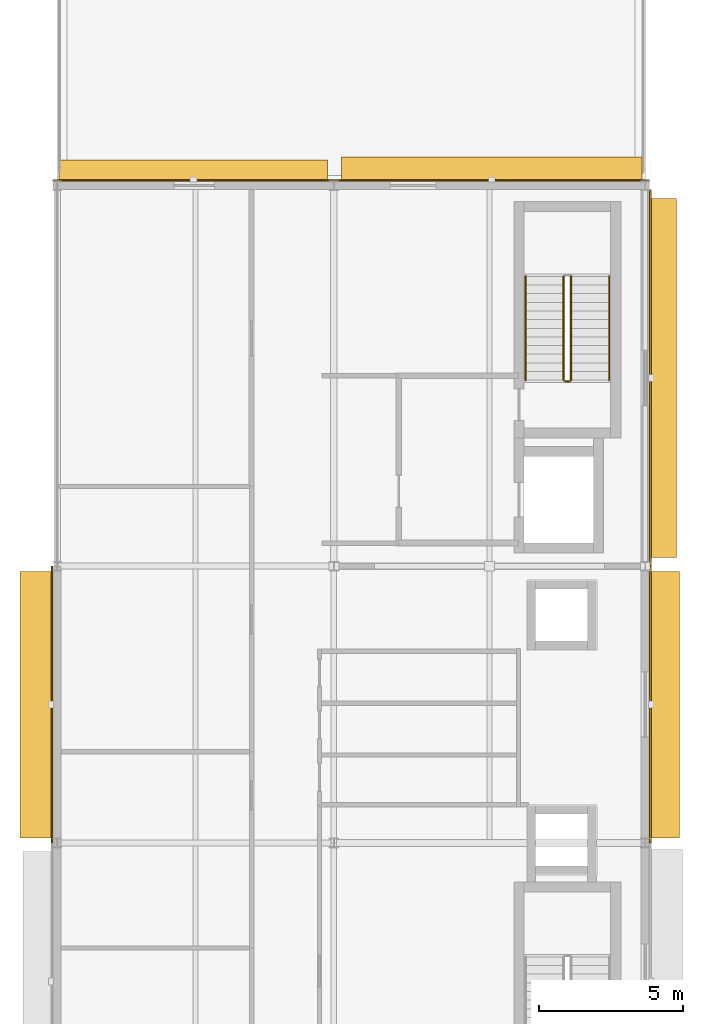
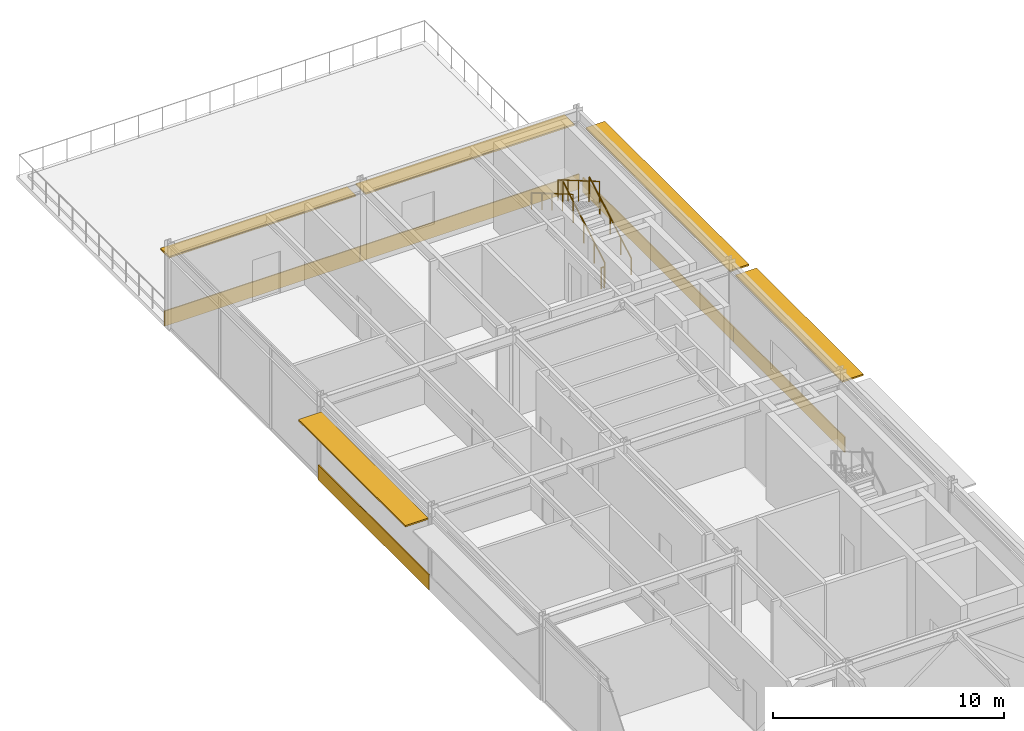
# One storey, part 17 of 18: 5 coverings, 5 railings, 5 shading devices.
"""IFC4 building model written with IfcOpenShell, lengths in metres."""

from ifc_helpers import new_model, si_unit, direction, frame, origin, origin_2d, place, context, subcontext, project, spatial, rectangle, circle, extrude, material, layer, layer_set, type_object, element, save


model = new_model("IFC4")

# Units and contexts
model_context = context("Model", 3, precision=1e-05, world=origin(), true_north=direction((0.0, 1.0)))
body_context = subcontext(model_context, "Body", "Model", "MODEL_VIEW")
ifc_project = project(units=[si_unit("LENGTHUNIT", "METRE"), si_unit("AREAUNIT", "SQUARE_METRE"), si_unit("VOLUMEUNIT", "CUBIC_METRE"), si_unit("PLANEANGLEUNIT", "RADIAN"), si_unit("MASSUNIT", "GRAM", prefix="KILO")], contexts=[model_context])

# Site, building, storey
site_placement = place(None, origin())
site = spatial("IfcSite", under=ifc_project, at=site_placement, CompositionType="ELEMENT")
building_placement = place(site_placement, origin())
building = spatial("IfcBuilding", under=site, at=building_placement, Name="Almandine Court Research Institute", CompositionType="ELEMENT")
storey_placement = place(building_placement, frame((0.0, 0.0, 37.10009765625)))
storey = spatial("IfcBuildingStorey", under=building, at=storey_placement, Name="L08", CompositionType="ELEMENT", Elevation=37.10009765625)

# Coverings
ifc_material_1 = material(Name="Extruded Cream-Ochre Seismic Terracotta Spandrel", Category="masonry")
ifc_layer_1 = layer(ifc_material_1, 0.054931640625)
ifc_layer_set_1 = layer_set([ifc_layer_1], Name="Extruded Cream-Ochre Seismic Terracotta Spandrel")
covering_type = type_object("IfcCoveringType", Name="Cov-CLAD-TERR", PredefinedType="CLADDING", material=ifc_layer_set_1)
covering_1_placement = place(storey_placement, frame((153.428955078125, 39.60009765625, 0.02001953125), z_axis=(0.0, 0.0, 1.0), x_axis=(0.0, 1.0, 0.0)))
element("IfcCovering", 1, at=covering_1_placement, inside=storey, type_object=covering_type, Name="L08 Facade Spandrel Cladding Band 230", PredefinedType="CLADDING", context=body_context, shape_type="SweptSolid", body=[
    extrude(rectangle(XDim=9.592041015625, YDim=0.054931640625, at=origin_2d()), origin(), (0.0, 0.0, 1.0), 0.800048828125),
])
covering_2_placement = place(storey_placement, frame((158.325927734375, 57.77001953125, 0.02001953125), z_axis=(0.0, 0.0, 1.0), x_axis=(1.0, 0.0, 0.0)))
element("IfcCovering", 2, at=covering_2_placement, inside=storey, type_object=covering_type, Name="L08 Facade Spandrel Cladding Band 231", PredefinedType="CLADDING", context=body_context, shape_type="SweptSolid", body=[
    extrude(rectangle(XDim=9.740966796875, YDim=0.054931640625, at=origin_2d()), origin(), (0.0, 0.0, 1.0), 0.800048828125),
])
covering_3_placement = place(storey_placement, frame((168.675048828125, 57.77001953125, 0.02001953125), z_axis=(0.0, 0.0, 1.0), x_axis=(1.0, 0.0, 0.0)))
element("IfcCovering", 3, at=covering_3_placement, inside=storey, type_object=covering_type, Name="L08 Facade Spandrel Cladding Band 232", PredefinedType="CLADDING", context=body_context, shape_type="SweptSolid", body=[
    extrude(rectangle(XDim=10.94091796875, YDim=0.054931640625, at=origin_2d()), origin(), (0.0, 0.0, 1.0), 0.800048828125),
])
covering_4_placement = place(storey_placement, frame((174.1708984375, 50.927978515625, 0.02001953125), z_axis=(0.0, 0.0, 1.0), x_axis=(0.0, -1.0, 0.0)))
element("IfcCovering", 4, at=covering_4_placement, inside=storey, type_object=covering_type, Name="L08 Facade Spandrel Cladding Band 233", PredefinedType="CLADDING", context=body_context, shape_type="SweptSolid", body=[
    extrude(rectangle(XDim=13.047119140625, YDim=0.054931640625, at=origin_2d()), origin(), (0.0, 0.0, 1.0), 0.800048828125),
])
covering_5_placement = place(storey_placement, frame((174.1708984375, 39.60009765625, 0.02001953125), z_axis=(0.0, 0.0, 1.0), x_axis=(0.0, -1.0, 0.0)))
element("IfcCovering", 5, at=covering_5_placement, inside=storey, type_object=covering_type, Name="L08 Facade Spandrel Cladding Band 234", PredefinedType="CLADDING", context=body_context, shape_type="SweptSolid", body=[
    extrude(rectangle(XDim=9.592041015625, YDim=0.054931640625, at=origin_2d()), origin(), (0.0, 0.0, 1.0), 0.800048828125),
])

# Railings
ifc_material_2 = material(Name="Powder-Coated Steel Stair and Atrium Balustrade", Category="steel")
railing_type_1 = type_object("IfcRailingType", Name="Rail-GUARD-INT", PredefinedType="BALUSTRADE", material=ifc_material_2)
railing_1_placement = place(storey_placement, frame((171.429931640625, 50.85009765625, 0.1748046875)))
element("IfcRailing", 6, at=railing_1_placement, inside=storey, type_object=railing_type_1, Name="L08 ST-08 stair guard 1", PredefinedType="BALUSTRADE", context=body_context, shape_type="SweptSolid", body=[
    extrude(circle(Radius=0.02392578125, at=origin_2d()), frame((0.0, 0.0, 1.09619140625), z_axis=(0.0, 0.863759778359, 0.503903805591), x_axis=(-1.0, 0.0, 0.0)), (0.0, 0.0, 1.0), 4.167724609375),
    extrude(circle(Radius=0.02099609375, at=origin_2d()), origin(), (0.0, 0.0, 1.0), 1.072021484375),
    extrude(circle(Radius=0.02099609375, at=origin_2d()), frame((0.0, 0.89990234375, 0.52490234375)), (0.0, 0.0, 1.0), 1.072021484375),
    extrude(circle(Radius=0.02099609375, at=origin_2d()), frame((0.0, 1.7998046875, 1.050048828125)), (0.0, 0.0, 1.0), 1.072021484375),
    extrude(circle(Radius=0.02099609375, at=origin_2d()), frame((0.0, 2.699951171875, 1.5751953125)), (0.0, 0.0, 1.0), 1.072021484375),
    extrude(circle(Radius=0.02099609375, at=origin_2d()), frame((0.0, 3.599853515625, 2.10009765625)), (0.0, 0.0, 1.0), 1.072021484375),
])
railing_2_placement = place(storey_placement, frame((171.169921875, 54.449951171875, 2.449951171875)))
element("IfcRailing", 7, at=railing_2_placement, inside=storey, type_object=railing_type_1, Name="L08 ST-08 stair guard 3", PredefinedType="BALUSTRADE", context=body_context, shape_type="SweptSolid", body=[
    extrude(circle(Radius=0.02392578125, at=origin_2d()), frame((0.0, 0.0, 1.09619140625), z_axis=(0.0, -0.86378527499, 0.503860098351), x_axis=(1.0, 0.0, 0.0)), (0.0, 0.0, 1.0), 4.16748046875),
    extrude(circle(Radius=0.02099609375, at=origin_2d()), origin(), (0.0, 0.0, 1.0), 1.072021484375),
    extrude(circle(Radius=0.02099609375, at=origin_2d()), frame((0.0, -0.89990234375, 0.52490234375)), (0.0, 0.0, 1.0), 1.072021484375),
    extrude(circle(Radius=0.02099609375, at=origin_2d()), frame((0.0, -1.7998046875, 1.0498046875)), (0.0, 0.0, 1.0), 1.072021484375),
    extrude(circle(Radius=0.02099609375, at=origin_2d()), frame((0.0, -2.699951171875, 1.574951171875)), (0.0, 0.0, 1.0), 1.072021484375),
    extrude(circle(Radius=0.02099609375, at=origin_2d()), frame((0.0, -3.599853515625, 2.099853515625)), (0.0, 0.0, 1.0), 1.072021484375),
])
railing_3_placement = place(storey_placement, frame((171.3798828125, 50.800048828125, 0.0)))
element("IfcRailing", 8, at=railing_3_placement, inside=storey, type_object=railing_type_1, Name="L08 ST-08 stair guard 4", PredefinedType="BALUSTRADE", context=body_context, shape_type="SweptSolid", body=[
    extrude(circle(Radius=0.02392578125, at=origin_2d()), frame((0.0, 0.0, 1.09619140625), z_axis=(-1.0, 0.0, 0.0), x_axis=(0.0, -1.0, 0.0)), (0.0, 0.0, 1.0), 0.159912109375),
    extrude(circle(Radius=0.02099609375, at=origin_2d()), origin(), (0.0, 0.0, 1.0), 1.072021484375),
    extrude(circle(Radius=0.02099609375, at=origin_2d()), frame((-0.159912109375, 0.0, 0.0)), (0.0, 0.0, 1.0), 1.072021484375),
])
ifc_material_3 = material(Name="Brushed Stainless Steel Wall Handrail", Category="steel")
railing_type_2 = type_object("IfcRailingType", Name="Rail-HAND-INT", PredefinedType="HANDRAIL", material=ifc_material_3)
railing_4_placement = place(storey_placement, frame((172.75, 50.85009765625, 0.1748046875)))
element("IfcRailing", 9, at=railing_4_placement, inside=storey, type_object=railing_type_2, Name="L08 ST-08 stair handrail 1", PredefinedType="HANDRAIL", context=body_context, shape_type="SweptSolid", body=[
    extrude(circle(Radius=0.02392578125, at=origin_2d()), frame((0.0, 0.0, 0.8759765625), z_axis=(0.0, 0.863759778359, 0.503903805591), x_axis=(-1.0, 0.0, 0.0)), (0.0, 0.0, 1.0), 4.167724609375),
    extrude(circle(Radius=0.02099609375, at=origin_2d()), origin(), (0.0, 0.0, 1.0), 0.851806640625),
    extrude(circle(Radius=0.02099609375, at=origin_2d()), frame((0.0, 0.89990234375, 0.52490234375)), (0.0, 0.0, 1.0), 0.851806640625),
    extrude(circle(Radius=0.02099609375, at=origin_2d()), frame((0.0, 1.7998046875, 1.050048828125)), (0.0, 0.0, 1.0), 0.851806640625),
    extrude(circle(Radius=0.02099609375, at=origin_2d()), frame((0.0, 2.699951171875, 1.5751953125)), (0.0, 0.0, 1.0), 0.851806640625),
    extrude(circle(Radius=0.02099609375, at=origin_2d()), frame((0.0, 3.599853515625, 2.10009765625)), (0.0, 0.0, 1.0), 0.851806640625),
])
railing_5_placement = place(storey_placement, frame((169.85009765625, 54.449951171875, 2.449951171875)))
element("IfcRailing", 10, at=railing_5_placement, inside=storey, type_object=railing_type_2, Name="L08 ST-08 stair handrail 2", PredefinedType="HANDRAIL", context=body_context, shape_type="SweptSolid", body=[
    extrude(circle(Radius=0.02392578125, at=origin_2d()), frame((0.0, 0.0, 0.8759765625), z_axis=(0.0, -0.86378527499, 0.503860098351), x_axis=(1.0, 0.0, 0.0)), (0.0, 0.0, 1.0), 4.16748046875),
    extrude(circle(Radius=0.02099609375, at=origin_2d()), origin(), (0.0, 0.0, 1.0), 0.851806640625),
    extrude(circle(Radius=0.02099609375, at=origin_2d()), frame((0.0, -0.89990234375, 0.52490234375)), (0.0, 0.0, 1.0), 0.851806640625),
    extrude(circle(Radius=0.02099609375, at=origin_2d()), frame((0.0, -1.7998046875, 1.0498046875)), (0.0, 0.0, 1.0), 0.851806640625),
    extrude(circle(Radius=0.02099609375, at=origin_2d()), frame((0.0, -2.699951171875, 1.574951171875)), (0.0, 0.0, 1.0), 0.851806640625),
    extrude(circle(Radius=0.02099609375, at=origin_2d()), frame((0.0, -3.599853515625, 2.099853515625)), (0.0, 0.0, 1.0), 0.851806640625),
])

# Shading devices
ifc_material_4 = material(Name="Precast GFRC Chhajja Sunshade and Acoustic Louvre", Category="concrete")
ifc_layer_2 = layer(ifc_material_4, 0.080078125)
ifc_layer_set_2 = layer_set([ifc_layer_2], Name="Precast GFRC Chhajja Sunshade and Acoustic Louvre")
shading_device_type_1 = type_object("IfcShadingDeviceType", Name="Shd-SD-02", PredefinedType="AWNING", material=ifc_layer_set_2)
shading_device_1_placement = place(storey_placement, frame((174.659912109375, 39.60009765625, 3.618896484375), z_axis=(0.0, 0.0, 1.0), x_axis=(0.0, -1.0, 0.0)))
element("IfcShadingDevice", 11, at=shading_device_1_placement, inside=storey, type_object=shading_device_type_1, Name="L08 Projecting Chhajja Sunshade 164", PredefinedType="AWNING", context=body_context, shape_type="SweptSolid", body=[
    extrude(rectangle(XDim=9.241943359375, YDim=1.050048828125, at=origin_2d()), origin(), (0.0, 0.0, 1.0), 0.080078125),
])
ifc_layer_3 = layer(ifc_material_4, 0.080078125)
ifc_layer_set_3 = layer_set([ifc_layer_3], Name="Precast GFRC Chhajja Sunshade and Acoustic Louvre")
shading_device_type_2 = type_object("IfcShadingDeviceType", Name="Shd-SD-36", PredefinedType="AWNING", material=ifc_layer_set_3)
shading_device_2_placement = place(storey_placement, frame((152.889892578125, 39.60009765625, 3.6279296875), z_axis=(0.0, 0.0, 1.0), x_axis=(0.0, 1.0, 0.0)))
element("IfcShadingDevice", 12, at=shading_device_2_placement, inside=storey, type_object=shading_device_type_2, Name="L08 Projecting Chhajja Sunshade 160", PredefinedType="AWNING", context=body_context, shape_type="SweptSolid", body=[
    extrude(rectangle(XDim=9.241943359375, YDim=1.14990234375, at=origin_2d()), origin(), (0.0, 0.0, 1.0), 0.080078125),
])
ifc_layer_4 = layer(ifc_material_4, 0.080078125)
ifc_layer_set_4 = layer_set([ifc_layer_4], Name="Precast GFRC Chhajja Sunshade and Acoustic Louvre")
shading_device_type_3 = type_object("IfcShadingDeviceType", Name="Shd-SD-70", PredefinedType="AWNING", material=ifc_layer_set_4)
shading_device_3_placement = place(storey_placement, frame((174.610107421875, 50.927978515625, 3.55078125), z_axis=(0.0, 0.0, 1.0), x_axis=(0.0, -1.0, 0.0)))
element("IfcShadingDevice", 13, at=shading_device_3_placement, inside=storey, type_object=shading_device_type_3, Name="L08 Projecting Chhajja Sunshade 163", PredefinedType="AWNING", context=body_context, shape_type="SweptSolid", body=[
    extrude(rectangle(XDim=12.45703125, YDim=0.949951171875, at=origin_2d()), origin(), (0.0, 0.0, 1.0), 0.080078125),
])
ifc_layer_5 = layer(ifc_material_4, 0.080078125)
ifc_layer_set_5 = layer_set([ifc_layer_5], Name="Precast GFRC Chhajja Sunshade and Acoustic Louvre")
shading_device_type_4 = type_object("IfcShadingDeviceType", Name="Shd-SD-77", PredefinedType="AWNING", material=ifc_layer_set_5)
shading_device_4_placement = place(storey_placement, frame((158.325927734375, 58.110107421875, 3.544921875), z_axis=(0.0, 0.0, 1.0), x_axis=(1.0, 0.0, 0.0)))
element("IfcShadingDevice", 14, at=shading_device_4_placement, inside=storey, type_object=shading_device_type_4, Name="L08 Projecting Chhajja Sunshade 161", PredefinedType="AWNING", context=body_context, shape_type="SweptSolid", body=[
    extrude(rectangle(XDim=9.31103515625, YDim=0.75, at=origin_2d()), origin(), (0.0, 0.0, 1.0), 0.080078125),
])
ifc_layer_6 = layer(ifc_material_4, 0.080078125)
ifc_layer_set_6 = layer_set([ifc_layer_6], Name="Precast GFRC Chhajja Sunshade and Acoustic Louvre")
shading_device_type_5 = type_object("IfcShadingDeviceType", Name="Shd-SD-78", PredefinedType="AWNING", material=ifc_layer_set_6)
shading_device_5_placement = place(storey_placement, frame((168.675048828125, 58.159912109375, 3.466796875), z_axis=(0.0, 0.0, 1.0), x_axis=(1.0, 0.0, 0.0)))
element("IfcShadingDevice", 15, at=shading_device_5_placement, inside=storey, type_object=shading_device_type_5, Name="L08 Projecting Chhajja Sunshade 162", PredefinedType="AWNING", context=body_context, shape_type="SweptSolid", body=[
    extrude(rectangle(XDim=10.430908203125, YDim=0.85009765625, at=origin_2d()), origin(), (0.0, 0.0, 1.0), 0.080078125),
])

save(model, "model.ifc")
